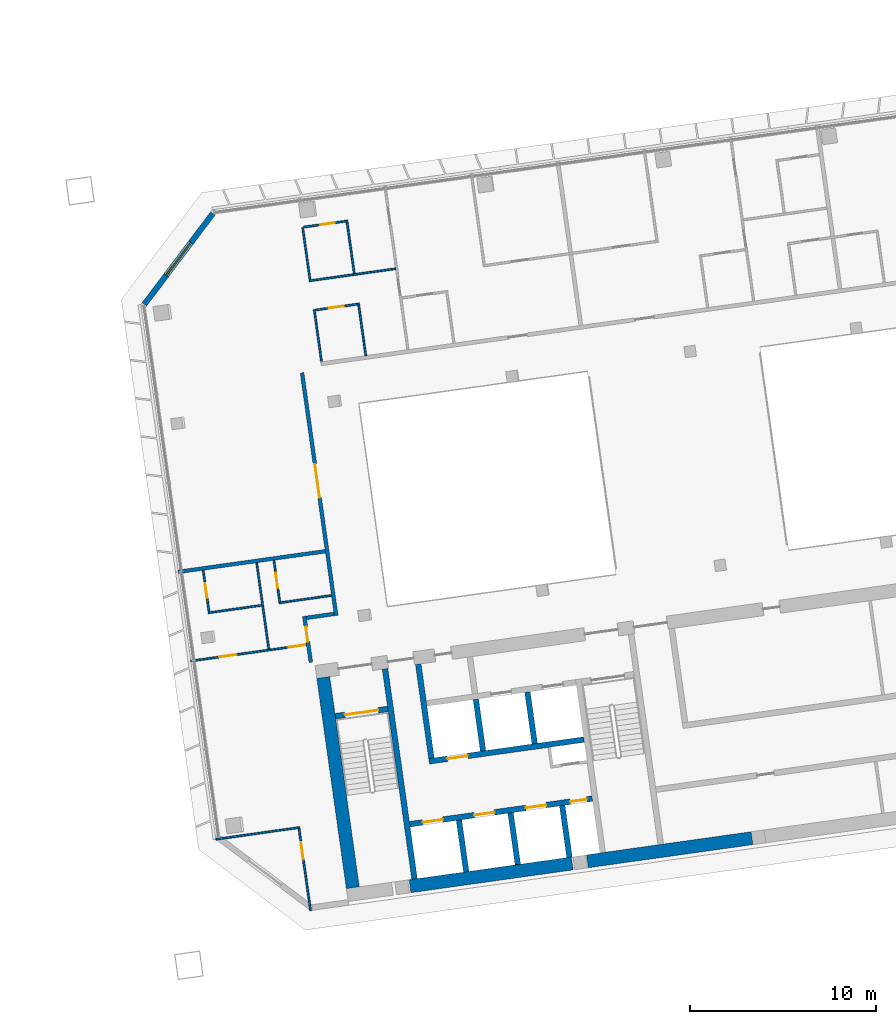
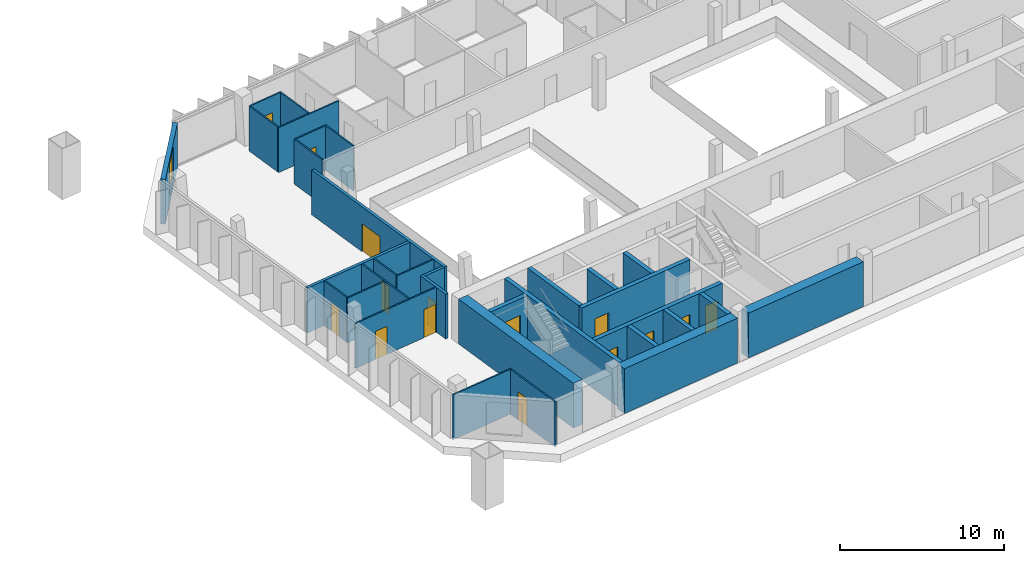
# One storey, part 17 of 22: 33 walls, 15 doors, 1 window, 16 openings.
"""IFC4 building model written with IfcOpenShell, lengths in metres."""

from ifc_helpers import new_model, si_unit, direction, frame, frame_2d, origin, place, context, subcontext, project, spatial, rectangle, extrude, material, layer, layer_set, type_object, element, fill, save


model = new_model("IFC4")

# Units and contexts
model_context = context("Model", 3, precision=1e-05, world=origin(), true_north=direction((0.0, 1.0)))
body_context = subcontext(model_context, "Body", "Model", "MODEL_VIEW")
ifc_project = project(units=[si_unit("LENGTHUNIT", "METRE"), si_unit("AREAUNIT", "SQUARE_METRE"), si_unit("VOLUMEUNIT", "CUBIC_METRE"), si_unit("PLANEANGLEUNIT", "RADIAN"), si_unit("MASSUNIT", "GRAM", prefix="KILO")], contexts=[model_context])

# Site, building, storey
site_placement = place(None, origin())
site = spatial("IfcSite", under=ifc_project, at=site_placement, CompositionType="ELEMENT")
building_placement = place(site_placement, origin())
building = spatial("IfcBuilding", under=site, at=building_placement, Name="Mirante Cascada Hotel Towers", CompositionType="ELEMENT")
storey_placement = place(building_placement, frame((0.0, 0.0, 191.6)))
storey = spatial("IfcBuildingStorey", under=building, at=storey_placement, Name="L45", CompositionType="ELEMENT", Elevation=191.6)

# Walls
ifc_material_1 = material(Name="Fire-rated plasterboard on metal studs")
ifc_layer_1 = layer(ifc_material_1, 0.2)
ifc_layer_set_1 = layer_set([ifc_layer_1], Name="Compartment wall 200 EI 120")
wall_type_1 = type_object("IfcWallType", Name="Compartment wall 200 EI 120", PredefinedType="PARTITIONING", material=ifc_layer_set_1)
wall_1_placement = place(storey_placement, frame((36.5138, -4.518, 0.0), z_axis=(0.0, 0.0, 1.0), x_axis=(-0.9902735, -0.1391343, 0.0)))
element("IfcWall", 1, at=wall_1_placement, inside=storey, type_object=wall_type_1, Name="Wall 2-L45-05", PredefinedType="PARTITIONING", context=body_context, shape_type="SweptSolid", body=[
    extrude(rectangle(XDim=1.5, YDim=0.2, at=frame_2d((0.75, 0.0))), origin(), (0.0, 0.0, 1.0), 3.35),
])
wall_2_placement = place(storey_placement, frame((36.0406, -1.151, 0.0), z_axis=(0.0, 0.0, 1.0), x_axis=(-0.9902677, -0.1391758, 0.0)))
element("IfcWall", 2, at=wall_2_placement, inside=storey, type_object=wall_type_1, Name="Wall 2-L45-09", PredefinedType="PARTITIONING", context=body_context, shape_type="SweptSolid", body=[
    extrude(rectangle(XDim=7.9691, YDim=0.2, at=frame_2d((3.9846, 0.0))), origin(), (0.0, 0.0, 1.0), 3.35),
])

# Wall, opening, door
wall_3_placement = place(storey_placement, frame((34.9155, -4.6416, 0.0), z_axis=(0.0, 0.0, 1.0), x_axis=(0.1391586, -0.9902701, 0.0)))
wall_3 = element("IfcWall", 3, at=wall_3_placement, inside=storey, type_object=wall_type_1, Name="Wall 2-L45-29", PredefinedType="PARTITIONING", context=body_context, shape_type="SweptSolid", body=[
    extrude(rectangle(XDim=2.5, YDim=0.2, at=frame_2d((1.25, 0.0))), origin(), (0.0, 0.0, 1.0), 3.35),
])
opening_1_placement = place(wall_3_placement, frame((0.5833, 0.0, 0.0)))
opening_1 = element("IfcOpeningElement", 4, at=opening_1_placement, cuts=wall_3, Name="Opening D2-L45-22", PredefinedType="OPENING", context=body_context, shape_type="SweptSolid", body=[
    extrude(rectangle(XDim=0.8, YDim=2.1, at=frame_2d((0.4, 1.05))), frame((0.0, 0.1, 0.0), z_axis=(0.0, -1.0, 0.0), x_axis=(1.0, 0.0, 0.0)), (0.0, 0.0, 1.0), 0.2),
])
ifc_material_2 = material(Name="Fire-rated timber door leaf", Category="wood")
door_type_1 = type_object("IfcDoorType", Name="Bathroom door DG4 800x2100 EI 60", OperationType="SINGLE_SWING_LEFT", PredefinedType="DOOR", material=ifc_material_2)
door_1_placement = place(opening_1_placement, origin())
door_1 = element("IfcDoor", 5, at=door_1_placement, inside=storey, type_object=door_type_1, Name="Door D2-L45-22", OperationType="SINGLE_SWING_LEFT", OverallHeight=2.1, OverallWidth=0.8, PredefinedType="DOOR", context=body_context, shape_type="SweptSolid", body=[
    extrude(rectangle(XDim=0.8, YDim=2.1, at=frame_2d((0.4, 1.05))), frame((0.0, 0.025, 0.0), z_axis=(0.0, -1.0, 0.0), x_axis=(1.0, 0.0, 0.0)), (0.0, 0.0, 1.0), 0.05),
])
fill(opening_1, door_1)

wall_4_placement = place(storey_placement, frame((36.6268, -4.6031, 0.0), z_axis=(0.0, 0.0, 1.0), x_axis=(-0.1391764, 0.9902676, 0.0)))
wall_4 = element("IfcWall", 6, at=wall_4_placement, inside=storey, type_object=wall_type_1, Name="Wall 2-L45-30", PredefinedType="PARTITIONING", context=body_context, shape_type="SweptSolid", body=[
    extrude(rectangle(XDim=13.1667, YDim=0.2, at=frame_2d((6.5834, 0.0))), origin(), (0.0, 0.0, 1.0), 3.35),
])
opening_2_placement = place(wall_4_placement, frame((6.4, 0.0, 0.0)))
opening_2 = element("IfcOpeningElement", 7, at=opening_2_placement, cuts=wall_4, Name="Opening D2-L45-23", PredefinedType="OPENING", context=body_context, shape_type="SweptSolid", body=[
    extrude(rectangle(XDim=1.8, YDim=2.1, at=frame_2d((0.9, 1.05))), frame((0.0, 0.1, 0.0), z_axis=(0.0, -1.0, 0.0), x_axis=(1.0, 0.0, 0.0)), (0.0, 0.0, 1.0), 0.2),
])
ifc_material_3 = material(Name="Fire-rated timber door leaf", Category="wood")
door_type_2 = type_object("IfcDoorType", Name="Suite double door DG2 1800x2100 EI 60", OperationType="DOUBLE_DOOR_SINGLE_SWING", PredefinedType="DOOR", material=ifc_material_3)
door_2_placement = place(opening_2_placement, origin())
door_2 = element("IfcDoor", 8, at=door_2_placement, inside=storey, type_object=door_type_2, Name="Door D2-L45-23", OperationType="DOUBLE_DOOR_SINGLE_SWING", OverallHeight=2.1, OverallWidth=1.8, PredefinedType="DOOR", context=body_context, shape_type="SweptSolid", body=[
    extrude(rectangle(XDim=0.895, YDim=2.1, at=frame_2d((0.4475, 1.05))), frame((0.0, 0.025, 0.0), z_axis=(0.0, -1.0, 0.0), x_axis=(1.0, 0.0, 0.0)), (0.0, 0.0, 1.0), 0.05),
    extrude(rectangle(XDim=0.895, YDim=2.1, at=frame_2d((1.3525, 1.05))), frame((0.0, 0.025, 0.0), z_axis=(0.0, -1.0, 0.0), x_axis=(1.0, 0.0, 0.0)), (0.0, 0.0, 1.0), 0.05),
])
fill(opening_2, door_2)

# Wall
ifc_material_4 = material(Name="Plasterboard on metal studs")
ifc_layer_2 = layer(ifc_material_4, 0.1)
ifc_layer_set_2 = layer_set([ifc_layer_2], Name="Partition 100")
wall_type_2 = type_object("IfcWallType", Name="Partition 100", PredefinedType="PARTITIONING", material=ifc_layer_set_2)
wall_5_placement = place(storey_placement, frame((34.6728, -15.9858, 0.0), z_axis=(0.0, 0.0, 1.0), x_axis=(-0.9902691, -0.1391656, 0.0)))
element("IfcWall", 9, at=wall_5_placement, inside=storey, type_object=wall_type_2, Name="Wall 2-L45-01", PredefinedType="PARTITIONING", context=body_context, shape_type="SweptSolid", body=[
    extrude(rectangle(XDim=4.55, YDim=0.1, at=frame_2d((2.275, 0.0))), origin(), (0.0, 0.0, 1.0), 3.35),
])

# Wall, openings, doors
wall_6_placement = place(storey_placement, frame((28.8218, -7.0464, 0.0), z_axis=(0.0, 0.0, 1.0), x_axis=(0.9902676, 0.1391766, 0.0)))
wall_6 = element("IfcWall", 10, at=wall_6_placement, inside=storey, type_object=wall_type_2, Name="Wall 2-L45-04", PredefinedType="PARTITIONING", context=body_context, shape_type="SweptSolid", body=[
    extrude(rectangle(XDim=6.269, YDim=0.1, at=frame_2d((3.1345, 0.0))), origin(), (0.0, 0.0, 1.0), 3.35),
])
opening_3_placement = place(wall_6_placement, frame((1.55, 0.0, 0.0)))
opening_3 = element("IfcOpeningElement", 11, at=opening_3_placement, cuts=wall_6, Name="Opening D2-L45-01", PredefinedType="OPENING", context=body_context, shape_type="SweptSolid", body=[
    extrude(rectangle(XDim=0.9, YDim=2.1, at=frame_2d((0.45, 1.05))), frame((0.0, 0.05, 0.0), z_axis=(0.0, -1.0, 0.0), x_axis=(1.0, 0.0, 0.0)), (0.0, 0.0, 1.0), 0.1),
])
opening_4_placement = place(wall_6_placement, frame((5.3018, 0.0, 0.0)))
opening_4 = element("IfcOpeningElement", 12, at=opening_4_placement, cuts=wall_6, Name="Opening D2-L45-02", PredefinedType="OPENING", context=body_context, shape_type="SweptSolid", body=[
    extrude(rectangle(XDim=0.9, YDim=2.1, at=frame_2d((0.45, 1.05))), frame((0.0, 0.05, 0.0), z_axis=(0.0, -1.0, 0.0), x_axis=(1.0, 0.0, 0.0)), (0.0, 0.0, 1.0), 0.1),
])
ifc_material_5 = material(Name="Timber door leaf", Category="wood")
door_type_3 = type_object("IfcDoorType", Name="Room door DG3 900x2100", OperationType="SINGLE_SWING_LEFT", PredefinedType="DOOR", material=ifc_material_5)
door_3_placement = place(opening_3_placement, frame((0.9, 0.0, 0.0), z_axis=(0.0, 0.0, 1.0), x_axis=(-1.0, 0.0, 0.0)))
door_3 = element("IfcDoor", 13, at=door_3_placement, inside=storey, type_object=door_type_3, Name="Door D2-L45-01", OperationType="SINGLE_SWING_RIGHT", OverallHeight=2.1, OverallWidth=0.9, PredefinedType="DOOR", context=body_context, shape_type="SweptSolid", body=[
    extrude(rectangle(XDim=0.9, YDim=2.1, at=frame_2d((0.45, 1.05))), frame((0.0, 0.025, 0.0), z_axis=(0.0, -1.0, 0.0), x_axis=(1.0, 0.0, 0.0)), (0.0, 0.0, 1.0), 0.05),
])
fill(opening_3, door_3)
door_4_placement = place(opening_4_placement, frame((0.9, 0.0, 0.0), z_axis=(0.0, 0.0, 1.0), x_axis=(-1.0, 0.0, 0.0)))
door_4 = element("IfcDoor", 14, at=door_4_placement, inside=storey, type_object=door_type_3, Name="Door D2-L45-02", OperationType="SINGLE_SWING_RIGHT", OverallHeight=2.1, OverallWidth=0.9, PredefinedType="DOOR", context=body_context, shape_type="SweptSolid", body=[
    extrude(rectangle(XDim=0.9, YDim=2.1, at=frame_2d((0.45, 1.05))), frame((0.0, 0.025, 0.0), z_axis=(0.0, -1.0, 0.0), x_axis=(1.0, 0.0, 0.0)), (0.0, 0.0, 1.0), 0.05),
])
fill(opening_4, door_4)

# Walls
wall_7_placement = place(storey_placement, frame((32.627, -4.0544, 0.0), z_axis=(0.0, 0.0, 1.0), x_axis=(-0.9902683, -0.1391714, 0.0)))
element("IfcWall", 15, at=wall_7_placement, inside=storey, type_object=wall_type_2, Name="Wall 2-L45-07", PredefinedType="PARTITIONING", context=body_context, shape_type="SweptSolid", body=[
    extrude(rectangle(XDim=2.9, YDim=0.1, at=frame_2d((1.45, 0.0))), origin(), (0.0, 0.0, 1.0), 3.35),
])
wall_8_placement = place(storey_placement, frame((33.5524, -3.9243, 0.0), z_axis=(0.0, 0.0, 1.0), x_axis=(0.9902704, 0.1391564, 0.0)))
element("IfcWall", 16, at=wall_8_placement, inside=storey, type_object=wall_type_2, Name="Wall 2-L45-08", PredefinedType="PARTITIONING", context=body_context, shape_type="SweptSolid", body=[
    extrude(rectangle(XDim=2.85, YDim=0.1, at=frame_2d((1.425, 0.0))), origin(), (0.0, 0.0, 1.0), 3.35),
])

# Wall, opening, door
wall_9_placement = place(storey_placement, frame((35.5008, 11.7999, 0.0), z_axis=(0.0, 0.0, 1.0), x_axis=(0.9902678, 0.1391749, 0.0)))
wall_9 = element("IfcWall", 17, at=wall_9_placement, inside=storey, type_object=wall_type_2, Name="Wall 2-L45-16", PredefinedType="PARTITIONING", context=body_context, shape_type="SweptSolid", body=[
    extrude(rectangle(XDim=2.3, YDim=0.1, at=frame_2d((1.15, 0.0))), origin(), (0.0, 0.0, 1.0), 3.35),
])
opening_5_placement = place(wall_9_placement, frame((0.75, 0.0, 0.0)))
opening_5 = element("IfcOpeningElement", 18, at=opening_5_placement, cuts=wall_9, Name="Opening D2-L45-10", PredefinedType="OPENING", context=body_context, shape_type="SweptSolid", body=[
    extrude(rectangle(XDim=0.8, YDim=2.1, at=frame_2d((0.4, 1.05))), frame((0.0, 0.05, 0.0), z_axis=(0.0, -1.0, 0.0), x_axis=(1.0, 0.0, 0.0)), (0.0, 0.0, 1.0), 0.1),
])
ifc_material_6 = material(Name="Timber door leaf", Category="wood")
door_type_4 = type_object("IfcDoorType", Name="Bathroom door DG4 800x2100", OperationType="SINGLE_SWING_LEFT", PredefinedType="DOOR", material=ifc_material_6)
door_5_placement = place(opening_5_placement, frame((0.8, 0.0, 0.0), z_axis=(0.0, 0.0, 1.0), x_axis=(-1.0, 0.0, 0.0)))
door_5 = element("IfcDoor", 19, at=door_5_placement, inside=storey, type_object=door_type_4, Name="Door D2-L45-10", OperationType="SINGLE_SWING_RIGHT", OverallHeight=2.1, OverallWidth=0.8, PredefinedType="DOOR", context=body_context, shape_type="SweptSolid", body=[
    extrude(rectangle(XDim=0.8, YDim=2.1, at=frame_2d((0.4, 1.05))), frame((0.0, 0.025, 0.0), z_axis=(0.0, -1.0, 0.0), x_axis=(1.0, 0.0, 0.0)), (0.0, 0.0, 1.0), 0.05),
])
fill(opening_5, door_5)

# Wall
wall_10_placement = place(storey_placement, frame((39.8203, 14.0227, 0.0), z_axis=(0.0, 0.0, 1.0), x_axis=(-0.9902674, -0.1391777, 0.0)))
element("IfcWall", 20, at=wall_10_placement, inside=storey, type_object=wall_type_2, Name="Wall 2-L45-21", PredefinedType="PARTITIONING", context=body_context, shape_type="SweptSolid", body=[
    extrude(rectangle(XDim=4.6868, YDim=0.1, at=frame_2d((2.3434, 0.0))), origin(), (0.0, 0.0, 1.0), 3.35),
])

# Wall, opening, door
wall_11_placement = place(storey_placement, frame((37.1521, 16.5762, 0.0), z_axis=(0.0, 0.0, 1.0), x_axis=(-0.9902678, -0.1391749, 0.0)))
wall_11 = element("IfcWall", 21, at=wall_11_placement, inside=storey, type_object=wall_type_2, Name="Wall 2-L45-23", PredefinedType="PARTITIONING", context=body_context, shape_type="SweptSolid", body=[
    extrude(rectangle(XDim=2.3, YDim=0.1, at=frame_2d((1.15, 0.0))), origin(), (0.0, 0.0, 1.0), 3.35),
])
opening_6_placement = place(wall_11_placement, frame((0.6, 0.0, 0.0)))
opening_6 = element("IfcOpeningElement", 22, at=opening_6_placement, cuts=wall_11, Name="Opening D2-L45-17", PredefinedType="OPENING", context=body_context, shape_type="SweptSolid", body=[
    extrude(rectangle(XDim=0.8, YDim=2.1, at=frame_2d((0.4, 1.05))), frame((0.0, 0.05, 0.0), z_axis=(0.0, -1.0, 0.0), x_axis=(1.0, 0.0, 0.0)), (0.0, 0.0, 1.0), 0.1),
])
door_6_placement = place(opening_6_placement, origin())
door_6 = element("IfcDoor", 23, at=door_6_placement, inside=storey, type_object=door_type_4, Name="Door D2-L45-17", OperationType="SINGLE_SWING_LEFT", OverallHeight=2.1, OverallWidth=0.8, PredefinedType="DOOR", context=body_context, shape_type="SweptSolid", body=[
    extrude(rectangle(XDim=0.8, YDim=2.1, at=frame_2d((0.4, 1.05))), frame((0.0, 0.025, 0.0), z_axis=(0.0, -1.0, 0.0), x_axis=(1.0, 0.0, 0.0)), (0.0, 0.0, 1.0), 0.05),
])
fill(opening_6, door_6)

wall_12_placement = place(storey_placement, frame((29.4846, -2.1734, 0.0), z_axis=(0.0, 0.0, 1.0), x_axis=(0.1391997, -0.9902643, 0.0)))
wall_12 = element("IfcWall", 24, at=wall_12_placement, inside=storey, type_object=wall_type_2, Name="Wall 2-L45-25", PredefinedType="PARTITIONING", context=body_context, shape_type="SweptSolid", body=[
    extrude(rectangle(XDim=2.25, YDim=0.1, at=frame_2d((1.125, 0.0))), origin(), (0.0, 0.0, 1.0), 3.35),
])
opening_7_placement = place(wall_12_placement, frame((0.7, 0.0, 0.0)))
opening_7 = element("IfcOpeningElement", 25, at=opening_7_placement, cuts=wall_12, Name="Opening D2-L45-19", PredefinedType="OPENING", context=body_context, shape_type="SweptSolid", body=[
    extrude(rectangle(XDim=0.8, YDim=2.1, at=frame_2d((0.4, 1.05))), frame((0.0, 0.05, 0.0), z_axis=(0.0, -1.0, 0.0), x_axis=(1.0, 0.0, 0.0)), (0.0, 0.0, 1.0), 0.1),
])
door_7_placement = place(opening_7_placement, origin())
door_7 = element("IfcDoor", 26, at=door_7_placement, inside=storey, type_object=door_type_4, Name="Door D2-L45-19", OperationType="SINGLE_SWING_LEFT", OverallHeight=2.1, OverallWidth=0.8, PredefinedType="DOOR", context=body_context, shape_type="SweptSolid", body=[
    extrude(rectangle(XDim=0.8, YDim=2.1, at=frame_2d((0.4, 1.05))), frame((0.0, 0.025, 0.0), z_axis=(0.0, -1.0, 0.0), x_axis=(1.0, 0.0, 0.0)), (0.0, 0.0, 1.0), 0.05),
])
fill(opening_7, door_7)

# Wall
wall_13_placement = place(storey_placement, frame((33.0082, -6.4075, 0.0), z_axis=(0.0, 0.0, 1.0), x_axis=(-0.139176, 0.9902677, 0.0)))
element("IfcWall", 27, at=wall_13_placement, inside=storey, type_object=wall_type_2, Name="Wall 2-L45-26", PredefinedType="PARTITIONING", context=body_context, shape_type="SweptSolid", body=[
    extrude(rectangle(XDim=4.6833, YDim=0.1, at=frame_2d((2.3416, 0.0))), origin(), (0.0, 0.0, 1.0), 3.35),
])

# Wall, opening, door
wall_14_placement = place(storey_placement, frame((34.6303, -16.0422, 0.0), z_axis=(0.0, 0.0, 1.0), x_axis=(0.1391684, -0.9902687, 0.0)))
wall_14 = element("IfcWall", 28, at=wall_14_placement, inside=storey, type_object=wall_type_2, Name="Wall 2-L45-27", PredefinedType="PARTITIONING", context=body_context, shape_type="SweptSolid", body=[
    extrude(rectangle(XDim=4.45, YDim=0.1, at=frame_2d((2.225, 0.0))), origin(), (0.0, 0.0, 1.0), 3.35),
])
opening_8_placement = place(wall_14_placement, frame((0.75, 0.0, 0.0)))
opening_8 = element("IfcOpeningElement", 29, at=opening_8_placement, cuts=wall_14, Name="Opening D2-L45-20", PredefinedType="OPENING", context=body_context, shape_type="SweptSolid", body=[
    extrude(rectangle(XDim=0.9, YDim=2.1, at=frame_2d((0.45, 1.05))), frame((0.0, 0.05, 0.0), z_axis=(0.0, -1.0, 0.0), x_axis=(1.0, 0.0, 0.0)), (0.0, 0.0, 1.0), 0.1),
])
door_8_placement = place(opening_8_placement, frame((0.9, 0.0, 0.0), z_axis=(0.0, 0.0, 1.0), x_axis=(-1.0, 0.0, 0.0)))
door_8 = element("IfcDoor", 30, at=door_8_placement, inside=storey, type_object=door_type_3, Name="Door D2-L45-20", OperationType="SINGLE_SWING_RIGHT", OverallHeight=2.1, OverallWidth=0.9, PredefinedType="DOOR", context=body_context, shape_type="SweptSolid", body=[
    extrude(rectangle(XDim=0.9, YDim=2.1, at=frame_2d((0.45, 1.05))), frame((0.0, 0.025, 0.0), z_axis=(0.0, -1.0, 0.0), x_axis=(1.0, 0.0, 0.0)), (0.0, 0.0, 1.0), 0.05),
])
fill(opening_8, door_8)

wall_15_placement = place(storey_placement, frame((33.5949, -3.8679, 0.0), z_axis=(0.0, 0.0, 1.0), x_axis=(-0.1391561, 0.9902705, 0.0)))
wall_15 = element("IfcWall", 31, at=wall_15_placement, inside=storey, type_object=wall_type_2, Name="Wall 2-L45-28", PredefinedType="PARTITIONING", context=body_context, shape_type="SweptSolid", body=[
    extrude(rectangle(XDim=2.25, YDim=0.1, at=frame_2d((1.125, 0.0))), origin(), (0.0, 0.0, 1.0), 3.35),
])
opening_9_placement = place(wall_15_placement, frame((0.75, 0.0, 0.0)))
opening_9 = element("IfcOpeningElement", 32, at=opening_9_placement, cuts=wall_15, Name="Opening D2-L45-21", PredefinedType="OPENING", context=body_context, shape_type="SweptSolid", body=[
    extrude(rectangle(XDim=0.8, YDim=2.1, at=frame_2d((0.4, 1.05))), frame((0.0, 0.05, 0.0), z_axis=(0.0, -1.0, 0.0), x_axis=(1.0, 0.0, 0.0)), (0.0, 0.0, 1.0), 0.1),
])
door_9_placement = place(opening_9_placement, frame((0.8, 0.0, 0.0), z_axis=(0.0, 0.0, 1.0), x_axis=(-1.0, 0.0, 0.0)))
door_9 = element("IfcDoor", 33, at=door_9_placement, inside=storey, type_object=door_type_4, Name="Door D2-L45-21", OperationType="SINGLE_SWING_RIGHT", OverallHeight=2.1, OverallWidth=0.8, PredefinedType="DOOR", context=body_context, shape_type="SweptSolid", body=[
    extrude(rectangle(XDim=0.8, YDim=2.1, at=frame_2d((0.4, 1.05))), frame((0.0, 0.025, 0.0), z_axis=(0.0, -1.0, 0.0), x_axis=(1.0, 0.0, 0.0)), (0.0, 0.0, 1.0), 0.05),
])
fill(opening_9, door_9)

# Walls
wall_16_placement = place(storey_placement, frame((35.4485, 11.8127, 0.0), z_axis=(0.0, 0.0, 1.0), x_axis=(0.1391779, -0.9902674, 0.0)))
element("IfcWall", 34, at=wall_16_placement, inside=storey, type_object=wall_type_2, Name="Wall 2-L45-31", PredefinedType="PARTITIONING", context=body_context, shape_type="SweptSolid", body=[
    extrude(rectangle(XDim=2.79, YDim=0.1, at=frame_2d((1.395, 0.0))), origin(), (0.0, 0.0, 1.0), 3.35),
])
wall_17_placement = place(storey_placement, frame((35.2174, 13.4565, 0.0), z_axis=(0.0, 0.0, 1.0), x_axis=(-0.139173, 0.9902681, 0.0)))
element("IfcWall", 35, at=wall_17_placement, inside=storey, type_object=wall_type_2, Name="Wall 2-L45-32", PredefinedType="PARTITIONING", context=body_context, shape_type="SweptSolid", body=[
    extrude(rectangle(XDim=2.7901, YDim=0.1, at=frame_2d((1.395, 0.0))), origin(), (0.0, 0.0, 1.0), 3.35),
])
wall_18_placement = place(storey_placement, frame((37.8209, 12.1764, 0.0), z_axis=(0.0, 0.0, 1.0), x_axis=(0.1391957, -0.9902649, 0.0)))
element("IfcWall", 36, at=wall_18_placement, inside=storey, type_object=wall_type_2, Name="Wall 2-L45-33", PredefinedType="PARTITIONING", context=body_context, shape_type="SweptSolid", body=[
    extrude(rectangle(XDim=2.8499, YDim=0.1, at=frame_2d((1.425, 0.0))), origin(), (0.0, 0.0, 1.0), 3.35),
])
wall_19_placement = place(storey_placement, frame((37.5983, 13.7609, 0.0), z_axis=(0.0, 0.0, 1.0), x_axis=(-0.1391761, 0.9902676, 0.0)))
element("IfcWall", 37, at=wall_19_placement, inside=storey, type_object=wall_type_2, Name="Wall 2-L45-34", PredefinedType="PARTITIONING", context=body_context, shape_type="SweptSolid", body=[
    extrude(rectangle(XDim=2.8999, YDim=0.1, at=frame_2d((1.45, 0.0))), origin(), (0.0, 0.0, 1.0), 3.35),
])

# Wall, opening, window
ifc_material_7 = material(Name="Precast concrete C40/50", Category="concrete")
ifc_layer_3 = layer(ifc_material_7, 0.3)
ifc_layer_set_3 = layer_set([ifc_layer_3], Name="Precast concrete C40/50 cladding wall 300")
wall_type_3 = type_object("IfcWallType", Name="Precast concrete C40/50 cladding wall 300", PredefinedType="STANDARD", material=ifc_layer_set_3)
wall_20_placement = place(storey_placement, frame((30.0061, 16.9918, 0.0), z_axis=(0.0, 0.0, 1.0), x_axis=(-0.6018141, -0.7986362, 0.0)))
wall_20 = element("IfcWall", 38, at=wall_20_placement, inside=storey, type_object=wall_type_3, Name="Corner cladding wall T2 L45 front inner", PredefinedType="STANDARD", context=body_context, shape_type="SweptSolid", body=[
    extrude(rectangle(XDim=6.1157, YDim=0.3, at=frame_2d((3.0578, 0.0))), origin(), (0.0, 0.0, 1.0), 3.35),
])
opening_10_placement = place(wall_20_placement, frame((1.9578, 0.0, 0.6)))
opening_10 = element("IfcOpeningElement", 39, at=opening_10_placement, cuts=wall_20, Name="Opening W2-45-03", PredefinedType="OPENING", context=body_context, shape_type="SweptSolid", body=[
    extrude(rectangle(XDim=2.2, YDim=2.4, at=frame_2d((1.1, 1.2))), frame((0.0, 0.15, 0.0), z_axis=(0.0, -1.0, 0.0), x_axis=(1.0, 0.0, 0.0)), (0.0, 0.0, 1.0), 0.3),
])
ifc_material_8 = material(Name="Aluminium frame with clear double glazing", Category="aluminium")
window_type = type_object("IfcWindowType", Name="Corner suite window 2200x2400", PartitioningType="DOUBLE_PANEL_VERTICAL", PredefinedType="WINDOW", material=ifc_material_8)
window_placement = place(opening_10_placement, origin())
window = element("IfcWindow", 40, at=window_placement, inside=storey, type_object=window_type, Name="Window W2-45-03", OverallHeight=2.4, OverallWidth=2.2, PartitioningType="SINGLE_PANEL", PredefinedType="WINDOW", context=body_context, shape_type="SweptSolid", body=[
    extrude(rectangle(XDim=2.2, YDim=2.4, at=frame_2d((1.1, 1.2))), frame((0.0, 0.03, 0.0), z_axis=(0.0, -1.0, 0.0), x_axis=(1.0, 0.0, 0.0)), (0.0, 0.0, 1.0), 0.06),
])
fill(opening_10, window)

# Wall
ifc_material_9 = material(Name="Concrete C50/60", Category="concrete")
ifc_layer_4 = layer(ifc_material_9, 0.3)
ifc_layer_set_4 = layer_set([ifc_layer_4], Name="RC core wall 300 C50/60")
wall_type_4 = type_object("IfcWallType", Name="RC core wall 300 C50/60", PredefinedType="SHEAR", material=ifc_layer_set_4)
wall_21_placement = place(storey_placement, frame((40.8373, -18.7548, 0.0), z_axis=(0.0, 0.0, 1.0), x_axis=(-0.1391749, 0.9902678, 0.0)))
element("IfcWall", 41, at=wall_21_placement, inside=storey, type_object=wall_type_4, Name="Core wall T2:L45:5", PredefinedType="SHEAR", context=body_context, shape_type="SweptSolid", body=[
    extrude(rectangle(XDim=11.4, YDim=0.3, at=frame_2d((5.7, 0.0))), origin(), (0.0, 0.0, 1.0), 3.35),
])

# Wall, opening, door
wall_22_placement = place(storey_placement, frame((36.5791, -10.0123, 0.0), z_axis=(0.0, 0.0, 1.0), x_axis=(0.9902704, 0.1391564, 0.0)))
wall_22 = element("IfcWall", 42, at=wall_22_placement, inside=storey, type_object=wall_type_4, Name="Core wall T2:L45:8", PredefinedType="SHEAR", context=body_context, shape_type="SweptSolid", body=[
    extrude(rectangle(XDim=2.85, YDim=0.3, at=frame_2d((1.425, 0.0))), origin(), (0.0, 0.0, 1.0), 3.35),
])
opening_11_placement = place(wall_22_placement, frame((0.525, 0.0, 0.0)))
opening_11 = element("IfcOpeningElement", 43, at=opening_11_placement, cuts=wall_22, Name="Opening D2-45-C07", PredefinedType="OPENING", context=body_context, shape_type="SweptSolid", body=[
    extrude(rectangle(XDim=1.8, YDim=2.1, at=frame_2d((0.9, 1.05))), frame((0.0, 0.15, 0.0), z_axis=(0.0, -1.0, 0.0), x_axis=(1.0, 0.0, 0.0)), (0.0, 0.0, 1.0), 0.3),
])
ifc_material_10 = material(Name="Hollow metal fire door leaf")
door_type_5 = type_object("IfcDoorType", Name="Double fire door 1800x2100 FD60", OperationType="DOUBLE_DOOR_SINGLE_SWING", PredefinedType="DOOR", material=ifc_material_10)
door_10_placement = place(opening_11_placement, frame((1.8, 0.0, 0.0), z_axis=(0.0, 0.0, 1.0), x_axis=(-1.0, 0.0, 0.0)))
door_10 = element("IfcDoor", 44, at=door_10_placement, inside=storey, type_object=door_type_5, Name="Stair door T2 L45 7", OperationType="DOUBLE_DOOR_SINGLE_SWING", OverallHeight=2.1, OverallWidth=1.8, PredefinedType="DOOR", context=body_context, shape_type="SweptSolid", body=[
    extrude(rectangle(XDim=0.895, YDim=2.1, at=frame_2d((0.4475, 1.05))), frame((0.0, 0.025, 0.0), z_axis=(0.0, -1.0, 0.0), x_axis=(1.0, 0.0, 0.0)), (0.0, 0.0, 1.0), 0.05),
    extrude(rectangle(XDim=0.895, YDim=2.1, at=frame_2d((1.3525, 1.05))), frame((0.0, 0.025, 0.0), z_axis=(0.0, -1.0, 0.0), x_axis=(1.0, 0.0, 0.0)), (0.0, 0.0, 1.0), 0.05),
])
fill(opening_11, door_10)

# Wall, openings, doors
wall_23_placement = place(storey_placement, frame((40.5753, -15.8126, 0.0), z_axis=(0.0, 0.0, 1.0), x_axis=(0.9902682, 0.1391725, 0.0)))
wall_23 = element("IfcWall", 45, at=wall_23_placement, inside=storey, type_object=wall_type_4, Name="Core wall T2:L45:10", PredefinedType="SHEAR", context=body_context, shape_type="SweptSolid", body=[
    extrude(rectangle(XDim=9.8999, YDim=0.3, at=frame_2d((4.95, 0.0))), origin(), (0.0, 0.0, 1.0), 3.35),
])
opening_12_placement = place(wall_23_placement, frame((0.7, 0.0, 0.0)))
opening_12 = element("IfcOpeningElement", 46, at=opening_12_placement, cuts=wall_23, Name="Opening LD", PredefinedType="OPENING", context=body_context, shape_type="SweptSolid", body=[
    extrude(rectangle(XDim=1.1, YDim=2.1, at=frame_2d((0.55, 1.05))), frame((0.0, 0.15, 0.0), z_axis=(0.0, -1.0, 0.0), x_axis=(1.0, 0.0, 0.0)), (0.0, 0.0, 1.0), 0.3),
])
opening_13_placement = place(wall_23_placement, frame((3.5, 0.0, 0.0)))
opening_13 = element("IfcOpeningElement", 47, at=opening_13_placement, cuts=wall_23, Name="Opening LD", PredefinedType="OPENING", context=body_context, shape_type="SweptSolid", body=[
    extrude(rectangle(XDim=1.1, YDim=2.1, at=frame_2d((0.55, 1.05))), frame((0.0, 0.15, 0.0), z_axis=(0.0, -1.0, 0.0), x_axis=(1.0, 0.0, 0.0)), (0.0, 0.0, 1.0), 0.3),
])
opening_14_placement = place(wall_23_placement, frame((6.3, 0.0, 0.0)))
opening_14 = element("IfcOpeningElement", 48, at=opening_14_placement, cuts=wall_23, Name="Opening LD", PredefinedType="OPENING", context=body_context, shape_type="SweptSolid", body=[
    extrude(rectangle(XDim=1.1, YDim=2.1, at=frame_2d((0.55, 1.05))), frame((0.0, 0.15, 0.0), z_axis=(0.0, -1.0, 0.0), x_axis=(1.0, 0.0, 0.0)), (0.0, 0.0, 1.0), 0.3),
])
opening_15_placement = place(wall_23_placement, frame((8.7, 0.0, 0.0)))
opening_15 = element("IfcOpeningElement", 49, at=opening_15_placement, cuts=wall_23, Name="Opening D2-45-C14", PredefinedType="OPENING", context=body_context, shape_type="SweptSolid", body=[
    extrude(rectangle(XDim=0.9, YDim=2.1, at=frame_2d((0.45, 1.05))), frame((0.0, 0.15, 0.0), z_axis=(0.0, -1.0, 0.0), x_axis=(1.0, 0.0, 0.0)), (0.0, 0.0, 1.0), 0.3),
])
ifc_material_11 = material(Name="Hollow metal fire door leaf")
door_type_6 = type_object("IfcDoorType", Name="Fire door 900x2100 FD60", OperationType="NOTDEFINED", PredefinedType="DOOR", material=ifc_material_11)
door_11_placement = place(opening_15_placement, frame((0.9, 0.0, 0.0), z_axis=(0.0, 0.0, 1.0), x_axis=(-1.0, 0.0, 0.0)))
door_11 = element("IfcDoor", 50, at=door_11_placement, inside=storey, type_object=door_type_6, Name="Riser door T2 L45 14", OperationType="SINGLE_SWING_RIGHT", OverallHeight=2.1, OverallWidth=0.9, PredefinedType="DOOR", context=body_context, shape_type="SweptSolid", body=[
    extrude(rectangle(XDim=0.9, YDim=2.1, at=frame_2d((0.45, 1.05))), frame((0.0, 0.025, 0.0), z_axis=(0.0, -1.0, 0.0), x_axis=(1.0, 0.0, 0.0)), (0.0, 0.0, 1.0), 0.05),
])
fill(opening_15, door_11)
ifc_material_12 = material(Name="Stainless steel", Category="steel")
door_type_7 = type_object("IfcDoorType", Name="Lift landing door 1100x2100 EI 120", OperationType="DOUBLE_DOOR_SLIDING", PredefinedType="DOOR", material=ifc_material_12)
door_12_placement = place(opening_12_placement, origin())
door_12 = element("IfcDoor", 51, at=door_12_placement, inside=storey, type_object=door_type_7, Name="Lift landing door HR2-1 L45", OperationType="DOUBLE_DOOR_SLIDING", OverallHeight=2.1, OverallWidth=1.1, PredefinedType="DOOR", context=body_context, shape_type="SweptSolid", body=[
    extrude(rectangle(XDim=0.545, YDim=2.1, at=frame_2d((0.2725, 1.05))), frame((0.0, 0.025, 0.0), z_axis=(0.0, -1.0, 0.0), x_axis=(1.0, 0.0, 0.0)), (0.0, 0.0, 1.0), 0.05),
    extrude(rectangle(XDim=0.545, YDim=2.1, at=frame_2d((0.8275, 1.05))), frame((0.0, 0.025, 0.0), z_axis=(0.0, -1.0, 0.0), x_axis=(1.0, 0.0, 0.0)), (0.0, 0.0, 1.0), 0.05),
])
fill(opening_12, door_12)
door_13_placement = place(opening_13_placement, origin())
door_13 = element("IfcDoor", 52, at=door_13_placement, inside=storey, type_object=door_type_7, Name="Lift landing door HR2-2 L45", OperationType="DOUBLE_DOOR_SLIDING", OverallHeight=2.1, OverallWidth=1.1, PredefinedType="DOOR", context=body_context, shape_type="SweptSolid", body=[
    extrude(rectangle(XDim=0.545, YDim=2.1, at=frame_2d((0.2725, 1.05))), frame((0.0, 0.025, 0.0), z_axis=(0.0, -1.0, 0.0), x_axis=(1.0, 0.0, 0.0)), (0.0, 0.0, 1.0), 0.05),
    extrude(rectangle(XDim=0.545, YDim=2.1, at=frame_2d((0.8275, 1.05))), frame((0.0, 0.025, 0.0), z_axis=(0.0, -1.0, 0.0), x_axis=(1.0, 0.0, 0.0)), (0.0, 0.0, 1.0), 0.05),
])
fill(opening_13, door_13)
door_14_placement = place(opening_14_placement, origin())
door_14 = element("IfcDoor", 53, at=door_14_placement, inside=storey, type_object=door_type_7, Name="Lift landing door HR2-3 L45", OperationType="DOUBLE_DOOR_SLIDING", OverallHeight=2.1, OverallWidth=1.1, PredefinedType="DOOR", context=body_context, shape_type="SweptSolid", body=[
    extrude(rectangle(XDim=0.545, YDim=2.1, at=frame_2d((0.2725, 1.05))), frame((0.0, 0.025, 0.0), z_axis=(0.0, -1.0, 0.0), x_axis=(1.0, 0.0, 0.0)), (0.0, 0.0, 1.0), 0.05),
    extrude(rectangle(XDim=0.545, YDim=2.1, at=frame_2d((0.8275, 1.05))), frame((0.0, 0.025, 0.0), z_axis=(0.0, -1.0, 0.0), x_axis=(1.0, 0.0, 0.0)), (0.0, 0.0, 1.0), 0.05),
])
fill(opening_14, door_14)

# Wall, opening, door
wall_24_placement = place(storey_placement, frame((41.6153, -12.435, 0.0), z_axis=(0.0, 0.0, 1.0), x_axis=(0.9902691, 0.139166, 0.0)))
wall_24 = element("IfcWall", 54, at=wall_24_placement, inside=storey, type_object=wall_type_4, Name="Core wall T2:L45:11", PredefinedType="SHEAR", context=body_context, shape_type="SweptSolid", body=[
    extrude(rectangle(XDim=8.4, YDim=0.3, at=frame_2d((4.2, 0.0))), origin(), (0.0, 0.0, 1.0), 3.35),
])
opening_16_placement = place(wall_24_placement, frame((1.0, 0.0, 0.0)))
opening_16 = element("IfcOpeningElement", 55, at=opening_16_placement, cuts=wall_24, Name="Opening LD", PredefinedType="OPENING", context=body_context, shape_type="SweptSolid", body=[
    extrude(rectangle(XDim=1.1, YDim=2.1, at=frame_2d((0.55, 1.05))), frame((0.0, 0.15, 0.0), z_axis=(0.0, -1.0, 0.0), x_axis=(1.0, 0.0, 0.0)), (0.0, 0.0, 1.0), 0.3),
])
door_15_placement = place(opening_16_placement, origin())
door_15 = element("IfcDoor", 56, at=door_15_placement, inside=storey, type_object=door_type_7, Name="Lift landing door HR2-4 L45", OperationType="DOUBLE_DOOR_SLIDING", OverallHeight=2.1, OverallWidth=1.1, PredefinedType="DOOR", context=body_context, shape_type="SweptSolid", body=[
    extrude(rectangle(XDim=0.545, YDim=2.1, at=frame_2d((0.2725, 1.05))), frame((0.0, 0.025, 0.0), z_axis=(0.0, -1.0, 0.0), x_axis=(1.0, 0.0, 0.0)), (0.0, 0.0, 1.0), 0.05),
    extrude(rectangle(XDim=0.545, YDim=2.1, at=frame_2d((0.8275, 1.05))), frame((0.0, 0.025, 0.0), z_axis=(0.0, -1.0, 0.0), x_axis=(1.0, 0.0, 0.0)), (0.0, 0.0, 1.0), 0.05),
])
fill(opening_16, door_15)

# Walls
wall_25_placement = place(storey_placement, frame((43.61, -18.3651, 0.0), z_axis=(0.0, 0.0, 1.0), x_axis=(-0.1391459, 0.9902719, 0.0)))
element("IfcWall", 57, at=wall_25_placement, inside=storey, type_object=wall_type_4, Name="Core wall T2:L45:13", PredefinedType="SHEAR", context=body_context, shape_type="SweptSolid", body=[
    extrude(rectangle(XDim=2.7999, YDim=0.3, at=frame_2d((1.4, 0.0))), origin(), (0.0, 0.0, 1.0), 3.35),
])
wall_26_placement = place(storey_placement, frame((46.3828, -17.9754, 0.0), z_axis=(0.0, 0.0, 1.0), x_axis=(-0.139181, 0.990267, 0.0)))
element("IfcWall", 58, at=wall_26_placement, inside=storey, type_object=wall_type_4, Name="Core wall T2:L45:14", PredefinedType="SHEAR", context=body_context, shape_type="SweptSolid", body=[
    extrude(rectangle(XDim=2.8, YDim=0.3, at=frame_2d((1.4, 0.0))), origin(), (0.0, 0.0, 1.0), 3.35),
])
wall_27_placement = place(storey_placement, frame((49.1555, -17.5857, 0.0), z_axis=(0.0, 0.0, 1.0), x_axis=(-0.1391459, 0.9902719, 0.0)))
element("IfcWall", 59, at=wall_27_placement, inside=storey, type_object=wall_type_4, Name="Core wall T2:L45:15", PredefinedType="SHEAR", context=body_context, shape_type="SweptSolid", body=[
    extrude(rectangle(XDim=2.7999, YDim=0.3, at=frame_2d((1.4, 0.0))), origin(), (0.0, 0.0, 1.0), 3.35),
])
for number, where, z_axis, x_axis, name in (
    (60, (44.5157, -11.8759, 0.0), (0.0, 0.0, 1.0), (-0.139181, 0.990267, 0.0), "Core wall T2:L45:16"),
    (61, (47.2885, -11.4862, 0.0), (0.0, 0.0, 1.0), (-0.139181, 0.990267, 0.0), "Core wall T2:L45:17"),
):
    element("IfcWall", number, at=place(storey_placement, frame(where, z_axis=z_axis, x_axis=x_axis)), inside=storey, type_object=wall_type_4, Name=name, PredefinedType="SHEAR", context=body_context, shape_type="SweptSolid", body=[
        extrude(rectangle(XDim=2.8, YDim=0.3, at=frame_2d((1.4, 0.0))), origin(), (0.0, 0.0, 1.0), 3.35),
    ])
wall_28_placement = place(storey_placement, frame((41.743, -12.2656, 0.0), z_axis=(0.0, 0.0, 1.0), x_axis=(-0.1391755, 0.9902677, 0.0)))
element("IfcWall", 62, at=wall_28_placement, inside=storey, type_object=wall_type_4, Name="Core wall T2:L45:18", PredefinedType="SHEAR", context=body_context, shape_type="SweptSolid", body=[
    extrude(rectangle(XDim=5.1, YDim=0.3, at=frame_2d((2.55, 0.0))), origin(), (0.0, 0.0, 1.0), 3.35),
])
ifc_material_13 = material(Name="Concrete C50/60", Category="concrete")
ifc_layer_5 = layer(ifc_material_13, 0.7)
ifc_layer_set_5 = layer_set([ifc_layer_5], Name="RC core wall 700 C50/60")
wall_type_5 = type_object("IfcWallType", Name="RC core wall 700 C50/60", PredefinedType="SHEAR", material=ifc_layer_set_5)
wall_29_placement = place(storey_placement, frame((40.5928, -19.1426, 0.0), z_axis=(0.0, 0.0, 1.0), x_axis=(0.9902677, 0.1391756, 0.0)))
element("IfcWall", 63, at=wall_29_placement, inside=storey, type_object=wall_type_5, Name="Core wall T2:L45:1.2", PredefinedType="SHEAR", context=body_context, shape_type="SweptSolid", body=[
    extrude(rectangle(XDim=8.7975, YDim=0.7, at=frame_2d((4.3988, 0.0))), origin(), (0.0, 0.0, 1.0), 3.35),
])
wall_30_placement = place(storey_placement, frame((50.1222, -17.8033, 0.0), z_axis=(0.0, 0.0, 1.0), x_axis=(0.9902688, 0.1391679, 0.0)))
element("IfcWall", 64, at=wall_30_placement, inside=storey, type_object=wall_type_5, Name="Core wall T2:L45:1.3", PredefinedType="SHEAR", context=body_context, shape_type="SweptSolid", body=[
    extrude(rectangle(XDim=8.923, YDim=0.7, at=frame_2d((4.4615, 0.0))), origin(), (0.0, 0.0, 1.0), 3.35),
])
wall_31_placement = place(storey_placement, frame((37.5199, -19.221, 0.0), z_axis=(0.0, 0.0, 1.0), x_axis=(-0.1391761, 0.9902677, 0.0)))
element("IfcWall", 65, at=wall_31_placement, inside=storey, type_object=wall_type_5, Name="Core wall T2:L45:3", PredefinedType="SHEAR", context=body_context, shape_type="SweptSolid", body=[
    extrude(rectangle(XDim=11.3999, YDim=0.7, at=frame_2d((5.7, 0.0))), origin(), (0.0, 0.0, 1.0), 3.35),
])

save(model, "model.ifc")
